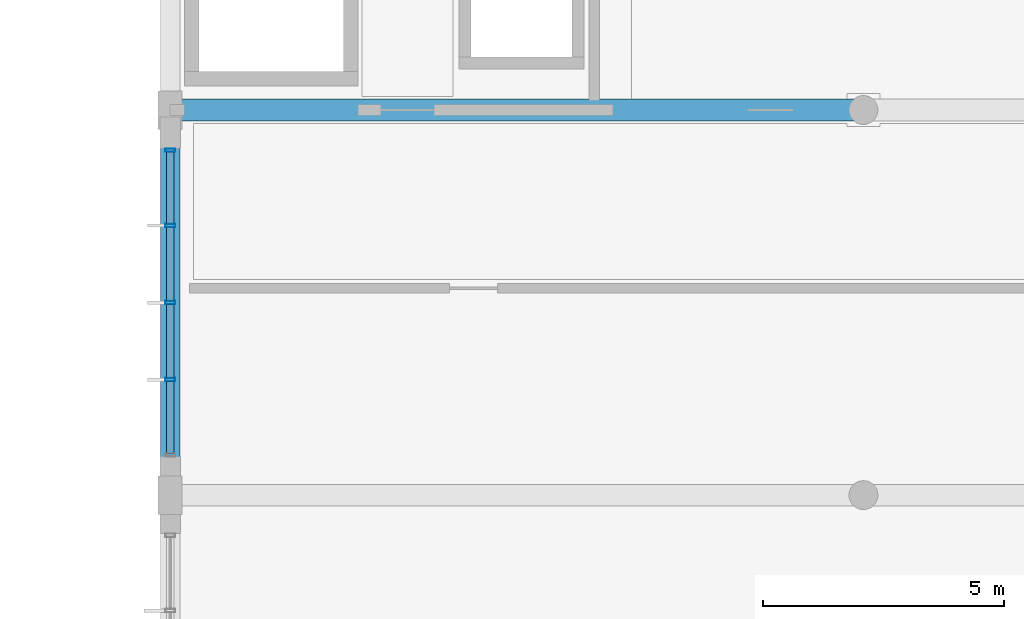
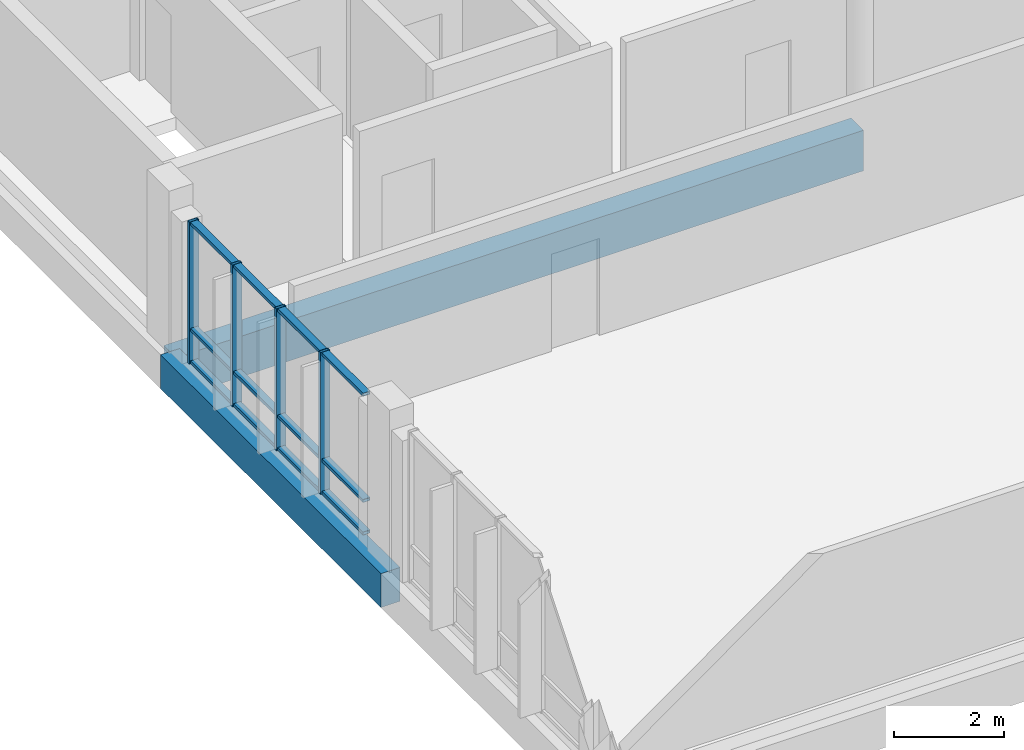
# One storey, part 76 of 189: 16 members, 2 beams, 1 element without a shape of its own.
"""IFC4 building model written with IfcOpenShell, lengths in metres."""

from ifc_helpers import new_model, si_unit, direction, frame, origin, origin_2d, place, context, subcontext, project, spatial, rectangle, hollow_rectangle, extrude, material, material_profile, profile_set, type_object, element, aggregate, save


model = new_model("IFC4")

# Units and contexts
model_context = context("Model", 3, precision=1e-05, world=origin(), true_north=direction((0.0, 1.0)))
body_context = subcontext(model_context, "Body", "Model", "MODEL_VIEW")
ifc_project = project(units=[si_unit("LENGTHUNIT", "METRE"), si_unit("AREAUNIT", "SQUARE_METRE"), si_unit("VOLUMEUNIT", "CUBIC_METRE"), si_unit("PLANEANGLEUNIT", "RADIAN"), si_unit("MASSUNIT", "GRAM", prefix="KILO")], contexts=[model_context])

# Site, building, storey
site_placement = place(None, origin())
site = spatial("IfcSite", under=ifc_project, at=site_placement, CompositionType="ELEMENT")
building_placement = place(site_placement, origin())
building = spatial("IfcBuilding", under=site, at=building_placement, Name="Zavelmont Quarter", CompositionType="ELEMENT")
storey_placement = place(building_placement, frame((0.0, 0.0, 4.39990234375)))
storey = spatial("IfcBuildingStorey", under=building, at=storey_placement, Name="L01", CompositionType="ELEMENT", Elevation=4.39990234375)

# Beams
ifc_material_1 = material(Name="Concrete C40/50", Category="concrete")
ifc_material_profile_1 = material_profile(ifc_material_1, rectangle(XDim=0.39990234375, YDim=0.75, at=origin_2d()), Name="RC400X750")
ifc_profile_set_1 = profile_set([ifc_material_profile_1], Name="Concrete C40/50")
beam_type_1 = type_object("IfcBeamType", Name="BM05", PredefinedType="BEAM", material=ifc_profile_set_1)
beam_1_placement = place(storey_placement, frame((55.199951171875, 70.0, -0.65478515625), z_axis=(0.0, 1.0, 0.0), x_axis=(-1.0, 0.0, 0.0)))
element("IfcBeam", 1, at=beam_1_placement, inside=storey, type_object=beam_type_1, Name="L01 beam BM05 9/L to 9/M", PredefinedType="BEAM", context=body_context, shape_type="SweptSolid", body=[
    extrude(rectangle(XDim=0.39990234375, YDim=0.75, at=origin_2d()), origin(), (0.0, 0.0, 1.0), 8.0),
])
ifc_material_profile_2 = material_profile(ifc_material_1, rectangle(XDim=0.449951171875, YDim=0.89990234375, at=origin_2d()), Name="RC450X900")
ifc_profile_set_2 = profile_set([ifc_material_profile_2], Name="Concrete C40/50")
beam_type_2 = type_object("IfcBeamType", Name="BM06", PredefinedType="BEAM", material=ifc_profile_set_2)
beam_2_placement = place(storey_placement, frame((55.199951171875, 78.0, -0.72998046875), z_axis=(1.0, 0.0, 0.0), x_axis=(0.0, 1.0, 0.0)))
element("IfcBeam", 2, at=beam_2_placement, inside=storey, type_object=beam_type_2, Name="L01 beam BM06 9/M to 11/M", PredefinedType="BEAM", context=body_context, shape_type="SweptSolid", body=[
    extrude(rectangle(XDim=0.449951171875, YDim=0.89990234375, at=origin_2d()), origin(), (0.0, 0.0, 1.0), 14.400146484375),
])

# Curtain wall, members
ifc_material_2 = material(Name="Thermally broken aluminium and double low-E safety glazing", Category="aluminium")
curtain_wall_type = type_object("IfcCurtainWallType", Name="CW-640X314", PredefinedType="NOTDEFINED", material=ifc_material_2)
curtain_wall_placement = place(storey_placement, origin())
curtain_wall = element("IfcCurtainWall", 3, at=curtain_wall_placement, inside=storey, type_object=curtain_wall_type, Name="L01 unitised curtain wall CW-640X314", PredefinedType="NOTDEFINED")
ifc_material_3 = material(Name="Powder-coated aluminium EN AW-6063-T6", Category="aluminium")
ifc_material_profile_3 = material_profile(ifc_material_3, hollow_rectangle(XDim=0.070068359375, YDim=0.199951171875, WallThickness=0.0048828125, at=origin_2d()), Name="CWM70X200")
ifc_profile_set_3 = profile_set([ifc_material_profile_3], Name="Powder-coated aluminium EN AW-6063-T6")
member_type_1 = type_object("IfcMemberType", Name="CWM02", PredefinedType="MULLION", material=ifc_profile_set_3)
member_1_placement = place(storey_placement, frame((55.199951171875, 72.39990234375, 0.0), z_axis=(0.0, 0.0, 1.0), x_axis=(0.0, 1.0, 0.0)))
member_1 = element("IfcMember", 4, at=member_1_placement, type_object=member_type_1, Name="CW-640X314 mullion 2", PredefinedType="MULLION", context=body_context, shape_type="SweptSolid", body=[
    extrude(hollow_rectangle(XDim=0.070068359375, YDim=0.199951171875, WallThickness=0.0048828125, at=origin_2d()), origin(), (0.0, 0.0, 1.0), 3.14501953125),
])
member_2_placement = place(storey_placement, frame((55.199951171875, 74.0, 0.0), z_axis=(0.0, 0.0, 1.0), x_axis=(0.0, 1.0, 0.0)))
member_2 = element("IfcMember", 5, at=member_2_placement, type_object=member_type_1, Name="CW-640X314 mullion 3", PredefinedType="MULLION", context=body_context, shape_type="SweptSolid", body=[
    extrude(hollow_rectangle(XDim=0.070068359375, YDim=0.199951171875, WallThickness=0.0048828125, at=origin_2d()), origin(), (0.0, 0.0, 1.0), 3.14501953125),
])
member_3_placement = place(storey_placement, frame((55.199951171875, 75.60009765625, 0.0), z_axis=(0.0, 0.0, 1.0), x_axis=(0.0, 1.0, 0.0)))
member_3 = element("IfcMember", 6, at=member_3_placement, type_object=member_type_1, Name="CW-640X314 mullion 4", PredefinedType="MULLION", context=body_context, shape_type="SweptSolid", body=[
    extrude(hollow_rectangle(XDim=0.070068359375, YDim=0.199951171875, WallThickness=0.0048828125, at=origin_2d()), origin(), (0.0, 0.0, 1.0), 3.14501953125),
])
member_4_placement = place(storey_placement, frame((55.199951171875, 77.1650390625, 0.0), z_axis=(0.0, 0.0, 1.0), x_axis=(0.0, 1.0, 0.0)))
member_4 = element("IfcMember", 7, at=member_4_placement, type_object=member_type_1, Name="CW-640X314 mullion 5", PredefinedType="MULLION", context=body_context, shape_type="SweptSolid", body=[
    extrude(hollow_rectangle(XDim=0.070068359375, YDim=0.199951171875, WallThickness=0.0048828125, at=origin_2d()), origin(), (0.0, 0.0, 1.0), 3.14501953125),
])
ifc_material_profile_4 = material_profile(ifc_material_3, hollow_rectangle(XDim=0.14990234375, YDim=0.070068359375, WallThickness=0.00439453125, at=origin_2d()), Name="CWT70X150")
ifc_profile_set_4 = profile_set([ifc_material_profile_4], Name="Powder-coated aluminium EN AW-6063-T6")
member_type_2 = type_object("IfcMemberType", Name="CWT02", PredefinedType="NOTDEFINED", material=ifc_profile_set_4)
member_5_placement = place(storey_placement, frame((55.199951171875, 70.8701171875, 0.03515625), z_axis=(0.0, 1.0, 0.0), x_axis=(-1.0, 0.0, 0.0)))
member_5 = element("IfcMember", 8, at=member_5_placement, type_object=member_type_2, Name="CW-640X314 transom 1.1", ObjectType="TRANSOM", PredefinedType="USERDEFINED", context=body_context, shape_type="SweptSolid", body=[
    extrude(hollow_rectangle(XDim=0.14990234375, YDim=0.070068359375, WallThickness=0.00439453125, at=origin_2d()), origin(), (0.0, 0.0, 1.0), 1.494873046875),
])
member_6_placement = place(storey_placement, frame((55.199951171875, 70.8701171875, 0.755126953125), z_axis=(0.0, 1.0, 0.0), x_axis=(-1.0, 0.0, 0.0)))
member_6 = element("IfcMember", 9, at=member_6_placement, type_object=member_type_2, Name="CW-640X314 transom 1.2", ObjectType="TRANSOM", PredefinedType="USERDEFINED", context=body_context, shape_type="SweptSolid", body=[
    extrude(hollow_rectangle(XDim=0.14990234375, YDim=0.070068359375, WallThickness=0.00439453125, at=origin_2d()), origin(), (0.0, 0.0, 1.0), 1.494873046875),
])
member_7_placement = place(storey_placement, frame((55.199951171875, 70.8701171875, 3.110107421875), z_axis=(0.0, 1.0, 0.0), x_axis=(-1.0, 0.0, 0.0)))
member_7 = element("IfcMember", 10, at=member_7_placement, type_object=member_type_2, Name="CW-640X314 transom 1.3", ObjectType="TRANSOM", PredefinedType="USERDEFINED", context=body_context, shape_type="SweptSolid", body=[
    extrude(hollow_rectangle(XDim=0.14990234375, YDim=0.070068359375, WallThickness=0.00439453125, at=origin_2d()), origin(), (0.0, 0.0, 1.0), 1.494873046875),
])
member_8_placement = place(storey_placement, frame((55.199951171875, 72.43505859375, 0.03515625), z_axis=(0.0, 1.0, 0.0), x_axis=(-1.0, 0.0, 0.0)))
member_8 = element("IfcMember", 11, at=member_8_placement, type_object=member_type_2, Name="CW-640X314 transom 2.1", ObjectType="TRANSOM", PredefinedType="USERDEFINED", context=body_context, shape_type="SweptSolid", body=[
    extrude(hollow_rectangle(XDim=0.14990234375, YDim=0.070068359375, WallThickness=0.00439453125, at=origin_2d()), origin(), (0.0, 0.0, 1.0), 1.530029296875),
])
member_9_placement = place(storey_placement, frame((55.199951171875, 72.43505859375, 0.755126953125), z_axis=(0.0, 1.0, 0.0), x_axis=(-1.0, 0.0, 0.0)))
member_9 = element("IfcMember", 12, at=member_9_placement, type_object=member_type_2, Name="CW-640X314 transom 2.2", ObjectType="TRANSOM", PredefinedType="USERDEFINED", context=body_context, shape_type="SweptSolid", body=[
    extrude(hollow_rectangle(XDim=0.14990234375, YDim=0.070068359375, WallThickness=0.00439453125, at=origin_2d()), origin(), (0.0, 0.0, 1.0), 1.530029296875),
])
member_10_placement = place(storey_placement, frame((55.199951171875, 72.43505859375, 3.110107421875), z_axis=(0.0, 1.0, 0.0), x_axis=(-1.0, 0.0, 0.0)))
member_10 = element("IfcMember", 13, at=member_10_placement, type_object=member_type_2, Name="CW-640X314 transom 2.3", ObjectType="TRANSOM", PredefinedType="USERDEFINED", context=body_context, shape_type="SweptSolid", body=[
    extrude(hollow_rectangle(XDim=0.14990234375, YDim=0.070068359375, WallThickness=0.00439453125, at=origin_2d()), origin(), (0.0, 0.0, 1.0), 1.530029296875),
])
member_11_placement = place(storey_placement, frame((55.199951171875, 74.034912109375, 0.03515625), z_axis=(0.0, 1.0, 0.0), x_axis=(-1.0, 0.0, 0.0)))
member_11 = element("IfcMember", 14, at=member_11_placement, type_object=member_type_2, Name="CW-640X314 transom 3.1", ObjectType="TRANSOM", PredefinedType="USERDEFINED", context=body_context, shape_type="SweptSolid", body=[
    extrude(hollow_rectangle(XDim=0.14990234375, YDim=0.070068359375, WallThickness=0.00439453125, at=origin_2d()), origin(), (0.0, 0.0, 1.0), 1.530029296875),
])
member_12_placement = place(storey_placement, frame((55.199951171875, 74.034912109375, 0.755126953125), z_axis=(0.0, 1.0, 0.0), x_axis=(-1.0, 0.0, 0.0)))
member_12 = element("IfcMember", 15, at=member_12_placement, type_object=member_type_2, Name="CW-640X314 transom 3.2", ObjectType="TRANSOM", PredefinedType="USERDEFINED", context=body_context, shape_type="SweptSolid", body=[
    extrude(hollow_rectangle(XDim=0.14990234375, YDim=0.070068359375, WallThickness=0.00439453125, at=origin_2d()), origin(), (0.0, 0.0, 1.0), 1.530029296875),
])
member_13_placement = place(storey_placement, frame((55.199951171875, 74.034912109375, 3.110107421875), z_axis=(0.0, 1.0, 0.0), x_axis=(-1.0, 0.0, 0.0)))
member_13 = element("IfcMember", 16, at=member_13_placement, type_object=member_type_2, Name="CW-640X314 transom 3.3", ObjectType="TRANSOM", PredefinedType="USERDEFINED", context=body_context, shape_type="SweptSolid", body=[
    extrude(hollow_rectangle(XDim=0.14990234375, YDim=0.070068359375, WallThickness=0.00439453125, at=origin_2d()), origin(), (0.0, 0.0, 1.0), 1.530029296875),
])
member_14_placement = place(storey_placement, frame((55.199951171875, 75.635009765625, 0.03515625), z_axis=(0.0, 1.0, 0.0), x_axis=(-1.0, 0.0, 0.0)))
member_14 = element("IfcMember", 17, at=member_14_placement, type_object=member_type_2, Name="CW-640X314 transom 4.1", ObjectType="TRANSOM", PredefinedType="USERDEFINED", context=body_context, shape_type="SweptSolid", body=[
    extrude(hollow_rectangle(XDim=0.14990234375, YDim=0.070068359375, WallThickness=0.00439453125, at=origin_2d()), origin(), (0.0, 0.0, 1.0), 1.494873046875),
])
member_15_placement = place(storey_placement, frame((55.199951171875, 75.635009765625, 0.755126953125), z_axis=(0.0, 1.0, 0.0), x_axis=(-1.0, 0.0, 0.0)))
member_15 = element("IfcMember", 18, at=member_15_placement, type_object=member_type_2, Name="CW-640X314 transom 4.2", ObjectType="TRANSOM", PredefinedType="USERDEFINED", context=body_context, shape_type="SweptSolid", body=[
    extrude(hollow_rectangle(XDim=0.14990234375, YDim=0.070068359375, WallThickness=0.00439453125, at=origin_2d()), origin(), (0.0, 0.0, 1.0), 1.494873046875),
])
member_16_placement = place(storey_placement, frame((55.199951171875, 75.635009765625, 3.110107421875), z_axis=(0.0, 1.0, 0.0), x_axis=(-1.0, 0.0, 0.0)))
member_16 = element("IfcMember", 19, at=member_16_placement, type_object=member_type_2, Name="CW-640X314 transom 4.3", ObjectType="TRANSOM", PredefinedType="USERDEFINED", context=body_context, shape_type="SweptSolid", body=[
    extrude(hollow_rectangle(XDim=0.14990234375, YDim=0.070068359375, WallThickness=0.00439453125, at=origin_2d()), origin(), (0.0, 0.0, 1.0), 1.494873046875),
])
aggregate(curtain_wall, [member_1, member_2, member_3, member_4, member_5, member_6, member_7, member_8, member_9, member_10, member_11, member_12, member_13, member_14, member_15, member_16])

save(model, "model.ifc")
